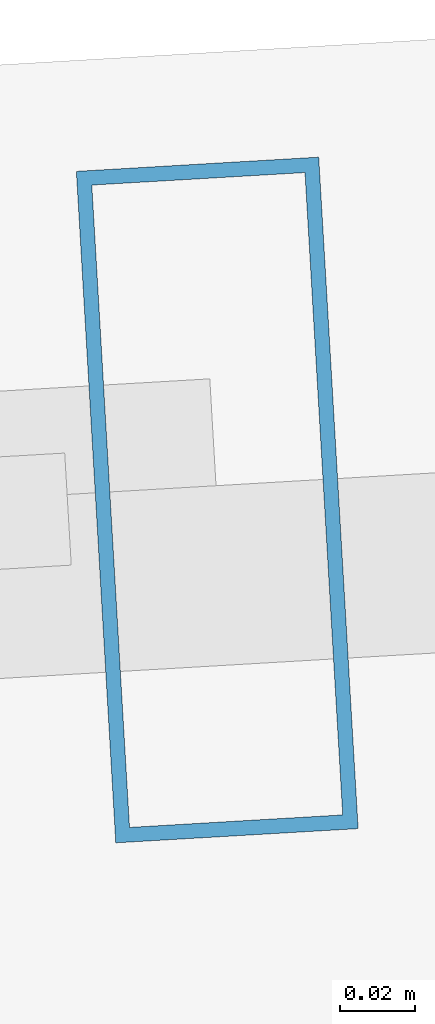
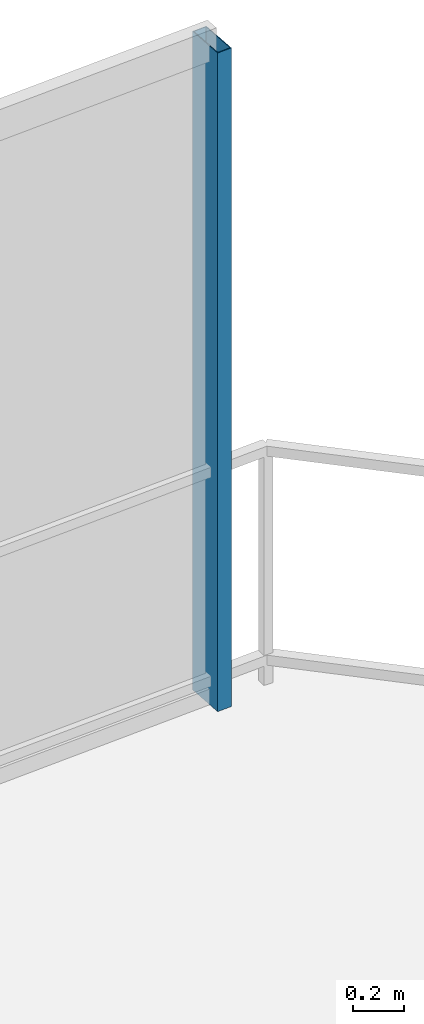
# One storey, part 23 of 30: 1 member, 1 element without a shape of its own.
"""IFC4 building model written with IfcOpenShell, lengths in metres."""

from ifc_helpers import new_model, si_unit, direction, frame, origin, origin_2d, place, context, subcontext, project, spatial, hollow_rectangle, extrude, material, layer, layer_set, material_profile, profile_set, type_object, element, aggregate, save


model = new_model("IFC4")

# Units and contexts
model_context = context("Model", 3, precision=1e-05, world=origin(), true_north=direction((0.0, 1.0)))
body_context = subcontext(model_context, "Body", "Model", "MODEL_VIEW")
ifc_project = project(units=[si_unit("LENGTHUNIT", "METRE"), si_unit("AREAUNIT", "SQUARE_METRE"), si_unit("VOLUMEUNIT", "CUBIC_METRE"), si_unit("PLANEANGLEUNIT", "RADIAN"), si_unit("MASSUNIT", "GRAM", prefix="KILO")], contexts=[model_context])

# Site, building, storey
site_placement = place(None, origin())
site = spatial("IfcSite", under=ifc_project, at=site_placement, CompositionType="ELEMENT")
building_placement = place(site_placement, origin())
building = spatial("IfcBuilding", under=site, at=building_placement, Name="Qarnah Convention Tower", CompositionType="ELEMENT")
storey_placement = place(building_placement, frame((0.0, 0.0, 79.800048828125)))
storey = spatial("IfcBuildingStorey", under=building, at=storey_placement, Name="L20", CompositionType="ELEMENT", Elevation=79.800048828125)

# Curtain wall, member
ifc_material_1 = material(Name="Tempered Low-E dark glass", Category="glass")
ifc_layer = layer(ifc_material_1, 0.169921875)
ifc_layer_set = layer_set([ifc_layer], Name="Tempered Low-E dark glass")
curtain_wall_type = type_object("IfcCurtainWallType", Name="CWS-02", PredefinedType="NOTDEFINED", material=ifc_layer_set)
curtain_wall_placement = place(storey_placement, origin())
curtain_wall = element("IfcCurtainWall", 1, at=curtain_wall_placement, inside=storey, type_object=curtain_wall_type, Name="L20 unitised curtain wall CW-L20-F1", PredefinedType="NOTDEFINED")
ifc_material_2 = material(Name="Black anodised aluminium", Category="aluminium")
ifc_material_profile = material_profile(ifc_material_2, hollow_rectangle(XDim=0.06494140625, YDim=0.179931640625, WallThickness=0.00390625, at=origin_2d()), Name="MUL-65X180")
ifc_profile_set = profile_set([ifc_material_profile], Name="Black anodised aluminium")
member_type = type_object("IfcMemberType", Name="MUL-T2", PredefinedType="MULLION", material=ifc_profile_set)
member_placement = place(storey_placement, frame((53.971923828125, 45.216064453125, 0.0), z_axis=(0.0, 0.0, 1.0), x_axis=(0.998280582188, 0.058616373356, 0.0)))
member = element("IfcMember", 2, at=member_placement, type_object=member_type, Name="CW-L20-F1 mullion 6", PredefinedType="MULLION", context=body_context, shape_type="SweptSolid", body=[
    extrude(hollow_rectangle(XDim=0.06494140625, YDim=0.179931640625, WallThickness=0.00390625, at=origin_2d()), origin(), (0.0, 0.0, 1.0), 3.169921875),
])
aggregate(curtain_wall, [member])

save(model, "model.ifc")
